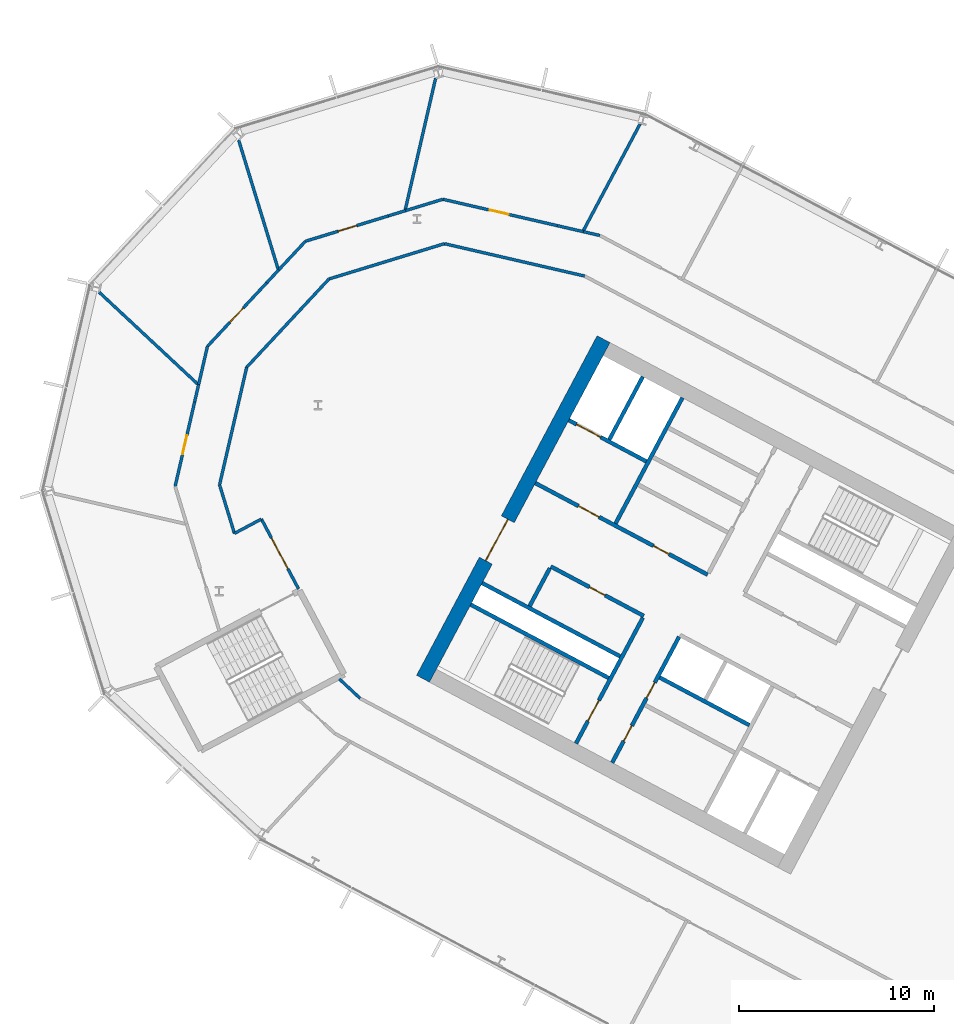
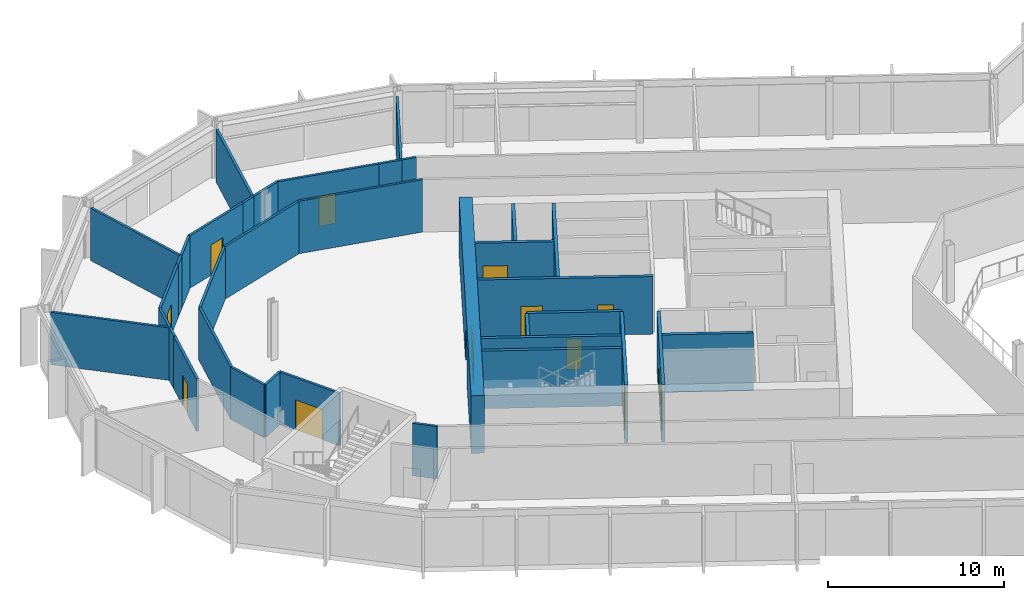
# One storey, part 14 of 28: 36 walls, 13 doors, 13 openings.
"""IFC4 building model written with IfcOpenShell, lengths in metres."""

from ifc_helpers import new_model, si_unit, direction, frame, frame_2d, origin, place, context, subcontext, project, spatial, rectangle, extrude, material, layer, layer_set, type_object, element, fill, save


model = new_model("IFC4")

# Units and contexts
model_context = context("Model", 3, precision=1e-05, world=origin(), true_north=direction((0.0, 1.0)))
body_context = subcontext(model_context, "Body", "Model", "MODEL_VIEW")
ifc_project = project(units=[si_unit("LENGTHUNIT", "METRE"), si_unit("AREAUNIT", "SQUARE_METRE"), si_unit("VOLUMEUNIT", "CUBIC_METRE"), si_unit("PLANEANGLEUNIT", "RADIAN"), si_unit("MASSUNIT", "GRAM", prefix="KILO")], contexts=[model_context])

# Site, building, storey
site_placement = place(None, origin())
site = spatial("IfcSite", under=ifc_project, at=site_placement, CompositionType="ELEMENT")
building_placement = place(site_placement, origin())
building = spatial("IfcBuilding", under=site, at=building_placement, Name="Cormorant Relay Tower", CompositionType="ELEMENT")
storey_placement = place(building_placement, frame((0.0, 0.0, 162.199951171875)))
storey = spatial("IfcBuildingStorey", under=building, at=storey_placement, Name="L34", CompositionType="ELEMENT", Elevation=162.199951171875)

# Wall, openings, doors
ifc_material_1 = material(Name="Concrete 50 MPa", Category="concrete")
ifc_layer_1 = layer(ifc_material_1, 0.199951171875)
ifc_layer_set_1 = layer_set([ifc_layer_1], Name="Core shaft wall 200")
wall_type_1 = type_object("IfcWallType", Name="Core shaft wall 200", PredefinedType="SHEAR", material=ifc_layer_set_1)
wall_1_placement = place(storey_placement, frame((-28.128173828125, 12.91748046875, 0.0), z_axis=(0.0, 0.0, 1.0), x_axis=(-0.469454336211, -0.882956752176, 0.0)))
wall_1 = element("IfcWall", 1, at=wall_1_placement, inside=storey, type_object=wall_type_1, Name="L34 core A shaft wall", PredefinedType="SHEAR", context=body_context, shape_type="SweptSolid", body=[
    extrude(rectangle(XDim=7.300048828125, YDim=0.199951171875, at=frame_2d((3.64990234375, 0.0))), origin(), (0.0, 0.0, 1.0), 4.0),
])
opening_1_placement = place(wall_1_placement, frame((2.64990234375, 0.0, 0.0)))
opening_1 = element("IfcOpeningElement", 2, at=opening_1_placement, cuts=wall_1, Name="Opening CDD-172", PredefinedType="OPENING", context=body_context, shape_type="SweptSolid", body=[
    extrude(rectangle(XDim=0.89990234375, YDim=2.10009765625, at=frame_2d((0.449951171875, 1.050048828125))), frame((0.0, 0.10986328125, 0.0), z_axis=(0.0, -1.0, 0.0), x_axis=(1.0, 0.0, 0.0)), (0.0, 0.0, 1.0), 0.219970703125),
])
opening_2_placement = place(wall_1_placement, frame((5.14990234375, 0.0, 0.0)))
opening_2 = element("IfcOpeningElement", 3, at=opening_2_placement, cuts=wall_1, Name="Opening CDD-173", PredefinedType="OPENING", context=body_context, shape_type="SweptSolid", body=[
    extrude(rectangle(XDim=0.89990234375, YDim=2.10009765625, at=frame_2d((0.449951171875, 1.050048828125))), frame((0.0, 0.10986328125, 0.0), z_axis=(0.0, -1.0, 0.0), x_axis=(1.0, 0.0, 0.0)), (0.0, 0.0, 1.0), 0.219970703125),
])
ifc_material_2 = material(Name="Steel fire door", Category="steel")
door_type_1 = type_object("IfcDoorType", Name="Core room door 900x2100", OperationType="SINGLE_SWING_LEFT", PredefinedType="DOOR", material=ifc_material_2)
door_1_placement = place(opening_1_placement, origin())
door_1 = element("IfcDoor", 4, at=door_1_placement, inside=storey, type_object=door_type_1, Name="Core room door 900x2100", OperationType="SINGLE_SWING_LEFT", OverallHeight=2.10009765625, OverallWidth=0.89990234375, PredefinedType="DOOR", context=body_context, shape_type="SweptSolid", body=[
    extrude(rectangle(XDim=0.89990234375, YDim=2.10009765625, at=frame_2d((0.449951171875, 1.050048828125))), frame((0.0, 0.02490234375, 0.0), z_axis=(0.0, -1.0, 0.0), x_axis=(1.0, 0.0, 0.0)), (0.0, 0.0, 1.0), 0.050048828125),
])
fill(opening_1, door_1)
door_2_placement = place(opening_2_placement, origin())
door_2 = element("IfcDoor", 5, at=door_2_placement, inside=storey, type_object=door_type_1, Name="Core room door 900x2100", OperationType="SINGLE_SWING_LEFT", OverallHeight=2.10009765625, OverallWidth=0.89990234375, PredefinedType="DOOR", context=body_context, shape_type="SweptSolid", body=[
    extrude(rectangle(XDim=0.89990234375, YDim=2.10009765625, at=frame_2d((0.449951171875, 1.050048828125))), frame((0.0, 0.02490234375, 0.0), z_axis=(0.0, -1.0, 0.0), x_axis=(1.0, 0.0, 0.0)), (0.0, 0.0, 1.0), 0.050048828125),
])
fill(opening_2, door_2)

# Wall, opening, door
wall_2_placement = place(storey_placement, frame((-29.982421875, 13.9033203125, 0.0), z_axis=(0.0, 0.0, 1.0), x_axis=(-0.469454336211, -0.882956752176, 0.0)))
wall_2 = element("IfcWall", 6, at=wall_2_placement, inside=storey, type_object=wall_type_1, Name="L34 core A shaft wall", PredefinedType="SHEAR", context=body_context, shape_type="SweptSolid", body=[
    extrude(rectangle(XDim=7.300048828125, YDim=0.199951171875, at=frame_2d((3.64990234375, 0.0))), origin(), (0.0, 0.0, 1.0), 4.0),
])
opening_3_placement = place(wall_2_placement, frame((4.800048828125, 0.0, 0.0)))
opening_3 = element("IfcOpeningElement", 7, at=opening_3_placement, cuts=wall_2, Name="Opening CDB-035", PredefinedType="OPENING", context=body_context, shape_type="SweptSolid", body=[
    extrude(rectangle(XDim=1.199951171875, YDim=2.10009765625, at=frame_2d((0.60009765625, 1.050048828125))), frame((0.0, 0.10986328125, 0.0), z_axis=(0.0, -1.0, 0.0), x_axis=(1.0, 0.0, 0.0)), (0.0, 0.0, 1.0), 0.219970703125),
])
ifc_material_3 = material(Name="Steel fire door", Category="steel")
door_type_2 = type_object("IfcDoorType", Name="Core stair door 1200x2100", OperationType="SINGLE_SWING_LEFT", PredefinedType="DOOR", material=ifc_material_3)
door_3_placement = place(opening_3_placement, frame((1.199951171875, 0.0, 0.0), z_axis=(0.0, 0.0, 1.0), x_axis=(-1.0, 0.0, 0.0)))
door_3 = element("IfcDoor", 8, at=door_3_placement, inside=storey, type_object=door_type_2, Name="Core stair door 1200x2100", OperationType="SINGLE_SWING_RIGHT", OverallHeight=2.10009765625, OverallWidth=1.199951171875, PredefinedType="DOOR", context=body_context, shape_type="SweptSolid", body=[
    extrude(rectangle(XDim=1.199951171875, YDim=2.10009765625, at=frame_2d((0.60009765625, 1.050048828125))), frame((0.0, 0.02490234375, 0.0), z_axis=(0.0, -1.0, 0.0), x_axis=(1.0, 0.0, 0.0)), (0.0, 0.0, 1.0), 0.050048828125),
])
fill(opening_3, door_3)

# Walls
wall_3_placement = place(storey_placement, frame((-27.955322265625, 25.170654296875, 0.0), z_axis=(0.0, 0.0, 1.0), x_axis=(-0.469480409012, -0.88294288918, 0.0)))
element("IfcWall", 9, at=wall_3_placement, inside=storey, type_object=wall_type_1, Name="L34 core A shaft wall", PredefinedType="SHEAR", context=body_context, shape_type="SweptSolid", body=[
    extrude(rectangle(XDim=7.300048828125, YDim=0.199951171875, at=frame_2d((3.64990234375, 0.0))), origin(), (0.0, 0.0, 1.0), 4.0),
])
wall_4_placement = place(storey_placement, frame((-34.750244140625, 16.4384765625, 0.0), z_axis=(0.0, 0.0, 1.0), x_axis=(-0.469401318492, -0.882984938828, 0.0)))
element("IfcWall", 10, at=wall_4_placement, inside=storey, type_object=wall_type_1, Name="L34 core A shaft wall", PredefinedType="SHEAR", context=body_context, shape_type="SweptSolid", body=[
    extrude(rectangle(XDim=2.199951171875, YDim=0.199951171875, at=frame_2d((1.10009765625, 0.0))), origin(), (0.0, 0.0, 1.0), 4.0),
])
wall_5_placement = place(storey_placement, frame((-29.986083984375, 26.250244140625, 0.0), z_axis=(0.0, 0.0, 1.0), x_axis=(-0.469494272526, -0.882935517501, 0.0)))
element("IfcWall", 11, at=wall_5_placement, inside=storey, type_object=wall_type_1, Name="L34 core A shaft wall", PredefinedType="SHEAR", context=body_context, shape_type="SweptSolid", body=[
    extrude(rectangle(XDim=3.64990234375, YDim=0.199951171875, at=frame_2d((1.824951171875, 0.0))), origin(), (0.0, 0.0, 1.0), 4.0),
])

# Wall, opening, door
wall_6_placement = place(storey_placement, frame((-29.80419921875, 21.906494140625, 0.0), z_axis=(0.0, 0.0, 1.0), x_axis=(-0.882960433586, 0.469447412093, 0.0)))
wall_6 = element("IfcWall", 12, at=wall_6_placement, inside=storey, type_object=wall_type_1, Name="L34 core A shaft wall", PredefinedType="SHEAR", context=body_context, shape_type="SweptSolid", body=[
    extrude(rectangle(XDim=4.5, YDim=0.199951171875, at=frame_2d((2.25, 0.0))), origin(), (0.0, 0.0, 1.0), 4.0),
])
opening_4_placement = place(wall_6_placement, frame((2.64990234375, 0.0, 0.0)))
opening_4 = element("IfcOpeningElement", 13, at=opening_4_placement, cuts=wall_6, Name="Opening LD3-013", PredefinedType="OPENING", context=body_context, shape_type="SweptSolid", body=[
    extrude(rectangle(XDim=1.39990234375, YDim=2.39990234375, at=frame_2d((0.699951171875, 1.199951171875))), frame((0.0, 0.10986328125, 0.0), z_axis=(0.0, -1.0, 0.0), x_axis=(1.0, 0.0, 0.0)), (0.0, 0.0, 1.0), 0.219970703125),
])
ifc_material_4 = material(Name="Stainless steel 316", Category="steel")
door_type_3 = type_object("IfcDoorType", Name="Lift landing door 1400x2400", OperationType="DOUBLE_DOOR_SLIDING", PredefinedType="DOOR", material=ifc_material_4)
door_4_placement = place(opening_4_placement, origin())
door_4 = element("IfcDoor", 14, at=door_4_placement, inside=storey, type_object=door_type_3, Name="SV1 landing door", OperationType="DOUBLE_DOOR_SLIDING", OverallHeight=2.39990234375, OverallWidth=1.39990234375, PredefinedType="DOOR", context=body_context, shape_type="SweptSolid", body=[
    extrude(rectangle(XDim=1.39990234375, YDim=2.39990234375, at=frame_2d((0.699951171875, 1.199951171875))), frame((0.0, 0.02490234375, 0.0), z_axis=(0.0, -1.0, 0.0), x_axis=(1.0, 0.0, 0.0)), (0.0, 0.0, 1.0), 0.050048828125),
])
fill(opening_4, door_4)

# Wall, openings, doors
wall_7_placement = place(storey_placement, frame((-26.66162109375, 16.1015625, 0.0), z_axis=(0.0, 0.0, 1.0), x_axis=(-0.882940221191, 0.469485426614, 0.0)))
wall_7 = element("IfcWall", 15, at=wall_7_placement, inside=storey, type_object=wall_type_1, Name="L34 core A shaft wall", PredefinedType="SHEAR", context=body_context, shape_type="SweptSolid", body=[
    extrude(rectangle(XDim=10.0, YDim=0.199951171875, at=frame_2d((5.0, 0.0))), origin(), (0.0, 0.0, 1.0), 4.0),
])
opening_5_placement = place(wall_7_placement, frame((6.300048828125, 0.0, 0.0)))
opening_5 = element("IfcOpeningElement", 16, at=opening_5_placement, cuts=wall_7, Name="Opening CDC-026", PredefinedType="OPENING", context=body_context, shape_type="SweptSolid", body=[
    extrude(rectangle(XDim=1.199951171875, YDim=2.10009765625, at=frame_2d((0.60009765625, 1.050048828125))), frame((0.0, 0.10986328125, 0.0), z_axis=(0.0, -1.0, 0.0), x_axis=(1.0, 0.0, 0.0)), (0.0, 0.0, 1.0), 0.219970703125),
])
opening_6_placement = place(wall_7_placement, frame((2.25, 0.0, 0.0)))
opening_6 = element("IfcOpeningElement", 17, at=opening_6_placement, cuts=wall_7, Name="Opening CDD-207", PredefinedType="OPENING", context=body_context, shape_type="SweptSolid", body=[
    extrude(rectangle(XDim=0.89990234375, YDim=2.10009765625, at=frame_2d((0.449951171875, 1.050048828125))), frame((0.0, 0.10986328125, 0.0), z_axis=(0.0, -1.0, 0.0), x_axis=(1.0, 0.0, 0.0)), (0.0, 0.0, 1.0), 0.219970703125),
])
ifc_material_5 = material(Name="Steel fire door", Category="steel")
door_type_4 = type_object("IfcDoorType", Name="Core lobby door 1200x2100", OperationType="SINGLE_SWING_LEFT", PredefinedType="DOOR", material=ifc_material_5)
door_5_placement = place(opening_5_placement, origin())
door_5 = element("IfcDoor", 18, at=door_5_placement, inside=storey, type_object=door_type_4, Name="Core lobby door 1200x2100", OperationType="SINGLE_SWING_LEFT", OverallHeight=2.10009765625, OverallWidth=1.199951171875, PredefinedType="DOOR", context=body_context, shape_type="SweptSolid", body=[
    extrude(rectangle(XDim=1.199951171875, YDim=2.10009765625, at=frame_2d((0.60009765625, 1.050048828125))), frame((0.0, 0.02490234375, 0.0), z_axis=(0.0, -1.0, 0.0), x_axis=(1.0, 0.0, 0.0)), (0.0, 0.0, 1.0), 0.050048828125),
])
fill(opening_5, door_5)
door_6_placement = place(opening_6_placement, origin())
door_6 = element("IfcDoor", 19, at=door_6_placement, inside=storey, type_object=door_type_1, Name="Core room door 900x2100", OperationType="SINGLE_SWING_LEFT", OverallHeight=2.10009765625, OverallWidth=0.89990234375, PredefinedType="DOOR", context=body_context, shape_type="SweptSolid", body=[
    extrude(rectangle(XDim=0.89990234375, YDim=2.10009765625, at=frame_2d((0.449951171875, 1.050048828125))), frame((0.0, 0.02490234375, 0.0), z_axis=(0.0, -1.0, 0.0), x_axis=(1.0, 0.0, 0.0)), (0.0, 0.0, 1.0), 0.050048828125),
])
fill(opening_6, door_6)

# Wall, opening, door
wall_8_placement = place(storey_placement, frame((-29.935302734375, 13.991455078125, 0.0), z_axis=(0.0, 0.0, 1.0), x_axis=(-0.882952937579, 0.469461510692, 0.0)))
wall_8 = element("IfcWall", 20, at=wall_8_placement, inside=storey, type_object=wall_type_1, Name="L34 core A shaft wall", PredefinedType="SHEAR", context=body_context, shape_type="SweptSolid", body=[
    extrude(rectangle(XDim=5.400146484375, YDim=0.199951171875, at=frame_2d((2.7001953125, 0.0))), origin(), (0.0, 0.0, 1.0), 4.0),
])
opening_7_placement = place(wall_8_placement, frame((2.25, 0.0, 0.0)))
opening_7 = element("IfcOpeningElement", 21, at=opening_7_placement, cuts=wall_8, Name="Opening CDD-184", PredefinedType="OPENING", context=body_context, shape_type="SweptSolid", body=[
    extrude(rectangle(XDim=0.89990234375, YDim=2.10009765625, at=frame_2d((0.449951171875, 1.050048828125))), frame((0.0, 0.10986328125, 0.0), z_axis=(0.0, -1.0, 0.0), x_axis=(1.0, 0.0, 0.0)), (0.0, 0.0, 1.0), 0.219970703125),
])
door_7_placement = place(opening_7_placement, origin())
door_7 = element("IfcDoor", 22, at=door_7_placement, inside=storey, type_object=door_type_1, Name="Core room door 900x2100", OperationType="SINGLE_SWING_LEFT", OverallHeight=2.10009765625, OverallWidth=0.89990234375, PredefinedType="DOOR", context=body_context, shape_type="SweptSolid", body=[
    extrude(rectangle(XDim=0.89990234375, YDim=2.10009765625, at=frame_2d((0.449951171875, 1.050048828125))), frame((0.0, 0.02490234375, 0.0), z_axis=(0.0, -1.0, 0.0), x_axis=(1.0, 0.0, 0.0)), (0.0, 0.0, 1.0), 0.050048828125),
])
fill(opening_7, door_7)

# Walls
wall_9_placement = place(storey_placement, frame((-24.5283203125, 8.3984375, 0.0), z_axis=(0.0, 0.0, 1.0), x_axis=(-0.882953967957, 0.469459572775, 0.0)))
element("IfcWall", 23, at=wall_9_placement, inside=storey, type_object=wall_type_1, Name="L34 core A shaft wall", PredefinedType="SHEAR", context=body_context, shape_type="SweptSolid", body=[
    extrude(rectangle(XDim=5.199951171875, YDim=0.199951171875, at=frame_2d((2.60009765625, 0.0))), origin(), (0.0, 0.0, 1.0), 4.0),
])
for number, where, z_axis, x_axis, name in (
    (24, (-31.150390625, 11.91943359375, 0.0), (0.0, 0.0, 1.0), (-0.882940221191, 0.469485426614, 0.0), "L34 core A shaft wall"),
    (25, (-31.7373046875, 10.815673828125, 0.0), (0.0, 0.0, 1.0), (-0.882940221191, 0.469485426614, 0.0), "L34 core A shaft wall"),
):
    element("IfcWall", number, at=place(storey_placement, frame(where, z_axis=z_axis, x_axis=x_axis)), inside=storey, type_object=wall_type_1, Name=name, PredefinedType="SHEAR", context=body_context, shape_type="SweptSolid", body=[
        extrude(rectangle(XDim=8.0, YDim=0.199951171875, at=frame_2d((4.0, 0.0))), origin(), (0.0, 0.0, 1.0), 4.0),
    ])

# Wall, opening, door
ifc_material_6 = material(Name="Concrete 60 MPa", Category="concrete")
ifc_layer_2 = layer(ifc_material_6, 0.75)
ifc_layer_set_2 = layer_set([ifc_layer_2], Name="Core wall 750")
wall_type_2 = type_object("IfcWallType", Name="Core wall 750", PredefinedType="SHEAR", material=ifc_layer_set_2)
wall_10_placement = place(storey_placement, frame((-31.995849609375, 28.16845703125, 0.0), z_axis=(0.0, 0.0, 1.0), x_axis=(-0.469479580143, -0.882943329908, 0.0)))
wall_10 = element("IfcWall", 26, at=wall_10_placement, inside=storey, type_object=wall_type_2, Name="L34 core A wall", PredefinedType="SHEAR", context=body_context, shape_type="SweptSolid", body=[
    extrude(rectangle(XDim=19.699951171875, YDim=0.75, at=frame_2d((9.85009765625, 0.0))), origin(), (0.0, 0.0, 1.0), 4.0),
])
opening_8_placement = place(wall_10_placement, frame((10.449951171875, 0.0, 0.0)))
opening_8 = element("IfcOpeningElement", 27, at=opening_8_placement, cuts=wall_10, Name="Opening CDA-027", PredefinedType="OPENING", context=body_context, shape_type="SweptSolid", body=[
    extrude(rectangle(XDim=2.39990234375, YDim=2.39990234375, at=frame_2d((1.199951171875, 1.199951171875))), frame((0.0, 0.385009765625, 0.0), z_axis=(0.0, -1.0, 0.0), x_axis=(1.0, 0.0, 0.0)), (0.0, 0.0, 1.0), 0.77001953125),
])
ifc_material_7 = material(Name="Steel fire door", Category="steel")
door_type_5 = type_object("IfcDoorType", Name="Core lobby door 2400x2400", OperationType="DOUBLE_DOOR_SINGLE_SWING", PredefinedType="DOOR", material=ifc_material_7)
door_8_placement = place(opening_8_placement, origin())
door_8 = element("IfcDoor", 28, at=door_8_placement, inside=storey, type_object=door_type_5, Name="Core lobby door 2400x2400", OperationType="DOUBLE_DOOR_SINGLE_SWING", OverallHeight=2.39990234375, OverallWidth=2.39990234375, PredefinedType="DOOR", context=body_context, shape_type="SweptSolid", body=[
    extrude(rectangle(XDim=2.39990234375, YDim=2.39990234375, at=frame_2d((1.199951171875, 1.199951171875))), frame((0.0, 0.02490234375, 0.0), z_axis=(0.0, -1.0, 0.0), x_axis=(1.0, 0.0, 0.0)), (0.0, 0.0, 1.0), 0.050048828125),
])
fill(opening_8, door_8)

ifc_material_8 = material(Name="Gypsum board fire partition")
ifc_layer_3 = layer(ifc_material_8, 0.14990234375)
ifc_layer_set_3 = layer_set([ifc_layer_3], Name="Corridor partition 150 EI 60")
wall_type_3 = type_object("IfcWallType", Name="Corridor partition 150 EI 60", PredefinedType="PARTITIONING", material=ifc_layer_set_3)
wall_11_placement = place(storey_placement, frame((-52.944091796875, 24.9560546875, 0.0), z_axis=(0.0, 0.0, 1.0), x_axis=(-0.225004075032, -0.974357822475, 0.0)))
wall_11 = element("IfcWall", 29, at=wall_11_placement, inside=storey, type_object=wall_type_3, Name="wall/L34/part/004", PredefinedType="PARTITIONING", context=body_context, shape_type="SweptSolid", body=[
    extrude(rectangle(XDim=4.43994140625, YDim=0.14990234375, at=frame_2d((2.219970703125, 0.0))), origin(), (0.0, 0.0, 1.0), 3.64013671875),
])
opening_9_placement = place(wall_11_placement, frame((1.75, 0.0, 0.0)))
opening_9 = element("IfcOpeningElement", 30, at=opening_9_placement, cuts=wall_11, Name="Opening DS-057", PredefinedType="OPENING", context=body_context, shape_type="SweptSolid", body=[
    extrude(rectangle(XDim=1.0, YDim=2.10009765625, at=frame_2d((0.5, 1.050048828125))), frame((0.0, 0.0849609375, 0.0), z_axis=(0.0, -1.0, 0.0), x_axis=(1.0, 0.0, 0.0)), (0.0, 0.0, 1.0), 0.169921875),
])
ifc_material_9 = material(Name="Timber door leaf", Category="wood")
door_type_6 = type_object("IfcDoorType", Name="Suite door 1000x2100", OperationType="SINGLE_SWING_LEFT", PredefinedType="DOOR", material=ifc_material_9)
door_9_placement = place(opening_9_placement, frame((1.0, 0.0, 0.0), z_axis=(0.0, 0.0, 1.0), x_axis=(-1.0, 0.0, 0.0)))
door_9 = element("IfcDoor", 31, at=door_9_placement, inside=storey, type_object=door_type_6, Name="door/L34/015", OperationType="SINGLE_SWING_RIGHT", OverallHeight=2.10009765625, OverallWidth=1.0, PredefinedType="DOOR", context=body_context, shape_type="SweptSolid", body=[
    extrude(rectangle(XDim=1.0, YDim=2.10009765625, at=frame_2d((0.5, 1.050048828125))), frame((0.0, 0.02490234375, 0.0), z_axis=(0.0, -1.0, 0.0), x_axis=(1.0, 0.0, 0.0)), (0.0, 0.0, 1.0), 0.050048828125),
])
fill(opening_9, door_9)

# Wall
wall_12_placement = place(storey_placement, frame((-52.944091796875, 24.9560546875, 0.0), z_axis=(0.0, 0.0, 1.0), x_axis=(0.224898245089, 0.974382255255, 0.0)))
element("IfcWall", 32, at=wall_12_placement, inside=storey, type_object=wall_type_3, Name="wall/L34/part/007", PredefinedType="PARTITIONING", context=body_context, shape_type="SweptSolid", body=[
    extrude(rectangle(XDim=0.920654296875, YDim=0.14990234375, at=frame_2d((0.46044921875, 0.0))), origin(), (0.0, 0.0, 1.0), 3.64013671875),
])

# Wall, opening, door
wall_13_placement = place(storey_placement, frame((-49.260009765625, 31.048095703125, 0.0), z_axis=(0.0, 0.0, 1.0), x_axis=(-0.682006580668, -0.731346035694, 0.0)))
wall_13 = element("IfcWall", 33, at=wall_13_placement, inside=storey, type_object=wall_type_3, Name="wall/L34/part/008", PredefinedType="PARTITIONING", context=body_context, shape_type="SweptSolid", body=[
    extrude(rectangle(XDim=4.4384765625, YDim=0.14990234375, at=frame_2d((2.21923828125, 0.0))), origin(), (0.0, 0.0, 1.0), 3.64013671875),
])
opening_10_placement = place(wall_13_placement, frame((1.7509765625, 0.0, 0.0)))
opening_10 = element("IfcOpeningElement", 34, at=opening_10_placement, cuts=wall_13, Name="Opening DS-056", PredefinedType="OPENING", context=body_context, shape_type="SweptSolid", body=[
    extrude(rectangle(XDim=1.0, YDim=2.10009765625, at=frame_2d((0.5, 1.050048828125))), frame((0.0, 0.0849609375, 0.0), z_axis=(0.0, -1.0, 0.0), x_axis=(1.0, 0.0, 0.0)), (0.0, 0.0, 1.0), 0.169921875),
])
door_10_placement = place(opening_10_placement, frame((1.0, 0.0, 0.0), z_axis=(0.0, 0.0, 1.0), x_axis=(-1.0, 0.0, 0.0)))
door_10 = element("IfcDoor", 35, at=door_10_placement, inside=storey, type_object=door_type_6, Name="door/L34/014", OperationType="SINGLE_SWING_RIGHT", OverallHeight=2.10009765625, OverallWidth=1.0, PredefinedType="DOOR", context=body_context, shape_type="SweptSolid", body=[
    extrude(rectangle(XDim=1.0, YDim=2.10009765625, at=frame_2d((0.5, 1.050048828125))), frame((0.0, 0.02490234375, 0.0), z_axis=(0.0, -1.0, 0.0), x_axis=(1.0, 0.0, 0.0)), (0.0, 0.0, 1.0), 0.050048828125),
])
fill(opening_10, door_10)

# Walls
wall_14_placement = place(storey_placement, frame((-52.287109375, 27.802001953125, 0.0), z_axis=(0.0, 0.0, 1.0), x_axis=(-0.224948647558, -0.974370620432, 0.0)))
element("IfcWall", 36, at=wall_14_placement, inside=storey, type_object=wall_type_3, Name="wall/L34/part/009", PredefinedType="PARTITIONING", context=body_context, shape_type="SweptSolid", body=[
    extrude(rectangle(XDim=2.000244140625, YDim=0.14990234375, at=frame_2d((1.0, 0.0))), origin(), (0.0, 0.0, 1.0), 3.64013671875),
])
wall_15_placement = place(storey_placement, frame((-49.260009765625, 31.048095703125, 0.0), z_axis=(0.0, 0.0, 1.0), x_axis=(0.68175139462, 0.731583922687, 0.0)))
element("IfcWall", 37, at=wall_15_placement, inside=storey, type_object=wall_type_3, Name="wall/L34/part/013", PredefinedType="PARTITIONING", context=body_context, shape_type="SweptSolid", body=[
    extrude(rectangle(XDim=0.921142578125, YDim=0.14990234375, at=frame_2d((0.46044921875, 0.0))), origin(), (0.0, 0.0, 1.0), 3.64013671875),
])
wall_16_placement = place(storey_placement, frame((-47.26708984375, 33.18505859375, 0.0), z_axis=(0.0, 0.0, 1.0), x_axis=(-0.682157389431, -0.731205372002, 0.0)))
element("IfcWall", 38, at=wall_16_placement, inside=storey, type_object=wall_type_3, Name="wall/L34/part/014", PredefinedType="PARTITIONING", context=body_context, shape_type="SweptSolid", body=[
    extrude(rectangle(XDim=2.0009765625, YDim=0.14990234375, at=frame_2d((1.00048828125, 0.0))), origin(), (0.0, 0.0, 1.0), 3.64013671875),
])

# Wall, opening, door
wall_17_placement = place(storey_placement, frame((-47.26806640625, 33.18505859375, 0.0), z_axis=(0.0, 0.0, 1.0), x_axis=(0.956324248272, 0.292307940652, 0.0)))
wall_17 = element("IfcWall", 39, at=wall_17_placement, inside=storey, type_object=wall_type_3, Name="wall/L34/part/015", PredefinedType="PARTITIONING", context=body_context, shape_type="SweptSolid", body=[
    extrude(rectangle(XDim=4.43994140625, YDim=0.14990234375, at=frame_2d((2.219970703125, 0.0))), origin(), (0.0, 0.0, 1.0), 3.64013671875),
])
opening_11_placement = place(wall_17_placement, frame((1.75, 0.0, 0.0)))
opening_11 = element("IfcOpeningElement", 40, at=opening_11_placement, cuts=wall_17, Name="Opening DS-055", PredefinedType="OPENING", context=body_context, shape_type="SweptSolid", body=[
    extrude(rectangle(XDim=1.0, YDim=2.10009765625, at=frame_2d((0.5, 1.050048828125))), frame((0.0, 0.0849609375, 0.0), z_axis=(0.0, -1.0, 0.0), x_axis=(1.0, 0.0, 0.0)), (0.0, 0.0, 1.0), 0.169921875),
])
door_11_placement = place(opening_11_placement, origin())
door_11 = element("IfcDoor", 41, at=door_11_placement, inside=storey, type_object=door_type_6, Name="door/L34/013", OperationType="SINGLE_SWING_RIGHT", OverallHeight=2.10009765625, OverallWidth=1.0, PredefinedType="DOOR", context=body_context, shape_type="SweptSolid", body=[
    extrude(rectangle(XDim=1.0, YDim=2.10009765625, at=frame_2d((0.5, 1.050048828125))), frame((0.0, 0.02490234375, 0.0), z_axis=(0.0, -1.0, 0.0), x_axis=(1.0, 0.0, 0.0)), (0.0, 0.0, 1.0), 0.050048828125),
])
fill(opening_11, door_11)

wall_18_placement = place(storey_placement, frame((-47.62109375, 15.3779296875, 0.0), z_axis=(0.0, 0.0, 1.0), x_axis=(-0.469542997944, 0.882909606404, 0.0)))
wall_18 = element("IfcWall", 42, at=wall_18_placement, inside=storey, type_object=wall_type_3, Name="wall/L34/part/016", PredefinedType="PARTITIONING", context=body_context, shape_type="SweptSolid", body=[
    extrude(rectangle(XDim=4.050537109375, YDim=0.14990234375, at=frame_2d((2.025390625, 0.0))), origin(), (0.0, 0.0, 1.0), 3.64013671875),
])
opening_12_placement = place(wall_18_placement, frame((1.14990234375, 0.0, 0.0)))
opening_12 = element("IfcOpeningElement", 43, at=opening_12_placement, cuts=wall_18, Name="Opening DD-005", PredefinedType="OPENING", context=body_context, shape_type="SweptSolid", body=[
    extrude(rectangle(XDim=1.800048828125, YDim=2.10009765625, at=frame_2d((0.89990234375, 1.050048828125))), frame((0.0, 0.0849609375, 0.0), z_axis=(0.0, -1.0, 0.0), x_axis=(1.0, 0.0, 0.0)), (0.0, 0.0, 1.0), 0.169921875),
])
ifc_material_10 = material(Name="Timber door leaf", Category="wood")
door_type_7 = type_object("IfcDoorType", Name="Suite double door 1800x2100", OperationType="DOUBLE_DOOR_SINGLE_SWING", PredefinedType="DOOR", material=ifc_material_10)
door_12_placement = place(opening_12_placement, frame((1.800048828125, 0.0, 0.0), z_axis=(0.0, 0.0, 1.0), x_axis=(-1.0, 0.0, 0.0)))
door_12 = element("IfcDoor", 44, at=door_12_placement, inside=storey, type_object=door_type_7, Name="door/L34/001", OperationType="DOUBLE_DOOR_SINGLE_SWING", OverallHeight=2.10009765625, OverallWidth=1.800048828125, PredefinedType="DOOR", context=body_context, shape_type="SweptSolid", body=[
    extrude(rectangle(XDim=1.800048828125, YDim=2.10009765625, at=frame_2d((0.89990234375, 1.050048828125))), frame((0.0, 0.02490234375, 0.0), z_axis=(0.0, -1.0, 0.0), x_axis=(1.0, 0.0, 0.0)), (0.0, 0.0, 1.0), 0.050048828125),
])
fill(opening_12, door_12)

# Walls
wall_19_placement = place(storey_placement, frame((-49.52294921875, 18.9541015625, 0.0), z_axis=(0.0, 0.0, 1.0), x_axis=(-0.882883395231, -0.469592281053, 0.0)))
element("IfcWall", 45, at=wall_19_placement, inside=storey, type_object=wall_type_3, Name="wall/L34/part/017", PredefinedType="PARTITIONING", context=body_context, shape_type="SweptSolid", body=[
    extrude(rectangle(XDim=1.5654296875, YDim=0.14990234375, at=frame_2d((0.78271484375, 0.0))), origin(), (0.0, 0.0, 1.0), 3.64013671875),
])
wall_20_placement = place(storey_placement, frame((-50.905029296875, 18.218994140625, 0.0), z_axis=(0.0, 0.0, 1.0), x_axis=(-0.292616300327, 0.956229941376, 0.0)))
element("IfcWall", 46, at=wall_20_placement, inside=storey, type_object=wall_type_3, Name="wall/L34/part/018", PredefinedType="PARTITIONING", context=body_context, shape_type="SweptSolid", body=[
    extrude(rectangle(XDim=2.60400390625, YDim=0.14990234375, at=frame_2d((1.302001953125, 0.0))), origin(), (0.0, 0.0, 1.0), 3.64013671875),
])
wall_21_placement = place(storey_placement, frame((-51.6669921875, 20.708984375, 0.0), z_axis=(0.0, 0.0, 1.0), x_axis=(0.225044109818, 0.974348576556, 0.0)))
element("IfcWall", 47, at=wall_21_placement, inside=storey, type_object=wall_type_3, Name="wall/L34/part/019", PredefinedType="PARTITIONING", context=body_context, shape_type="SweptSolid", body=[
    extrude(rectangle(XDim=6.181396484375, YDim=0.14990234375, at=frame_2d((3.0908203125, 0.0))), origin(), (0.0, 0.0, 1.0), 3.64013671875),
])
wall_22_placement = place(storey_placement, frame((-50.27587890625, 26.73193359375, 0.0), z_axis=(0.0, 0.0, 1.0), x_axis=(0.681907204976, 0.731438694494, 0.0)))
element("IfcWall", 48, at=wall_22_placement, inside=storey, type_object=wall_type_3, Name="wall/L34/part/020", PredefinedType="PARTITIONING", context=body_context, shape_type="SweptSolid", body=[
    extrude(rectangle(XDim=6.180908203125, YDim=0.14990234375, at=frame_2d((3.09033203125, 0.0))), origin(), (0.0, 0.0, 1.0), 3.64013671875),
])
wall_23_placement = place(storey_placement, frame((-46.06103515625, 31.2529296875, 0.0), z_axis=(0.0, 0.0, 1.0), x_axis=(0.956322135821, 0.292314851724, 0.0)))
element("IfcWall", 49, at=wall_23_placement, inside=storey, type_object=wall_type_3, Name="wall/L34/part/021", PredefinedType="PARTITIONING", context=body_context, shape_type="SweptSolid", body=[
    extrude(rectangle(XDim=6.18212890625, YDim=0.14990234375, at=frame_2d((3.091064453125, 0.0))), origin(), (0.0, 0.0, 1.0), 3.64013671875),
])
wall_24_placement = place(storey_placement, frame((-40.14892578125, 33.06005859375, 0.0), z_axis=(0.0, 0.0, 1.0), x_axis=(0.97439342778, -0.224849834111, 0.0)))
element("IfcWall", 50, at=wall_24_placement, inside=storey, type_object=wall_type_3, Name="wall/L34/part/022", PredefinedType="PARTITIONING", context=body_context, shape_type="SweptSolid", body=[
    extrude(rectangle(XDim=7.37353515625, YDim=0.14990234375, at=frame_2d((3.686767578125, 0.0))), origin(), (0.0, 0.0, 1.0), 3.64013671875),
])
wall_25_placement = place(storey_placement, frame((-44.467041015625, 9.76904296875, 0.0), z_axis=(0.0, 0.0, 1.0), x_axis=(-0.731027453332, 0.682348050833, 0.0)))
element("IfcWall", 51, at=wall_25_placement, inside=storey, type_object=wall_type_3, Name="wall/L34/part/030", PredefinedType="PARTITIONING", context=body_context, shape_type="SweptSolid", body=[
    extrude(rectangle(XDim=1.45947265625, YDim=0.14990234375, at=frame_2d((0.729736328125, 0.0))), origin(), (0.0, 0.0, 1.0), 3.64013671875),
])
wall_26_placement = place(storey_placement, frame((-43.02197265625, 34.48291015625, 0.0), z_axis=(0.0, 0.0, 1.0), x_axis=(0.956293877443, 0.29240728439, 0.0)))
element("IfcWall", 52, at=wall_26_placement, inside=storey, type_object=wall_type_3, Name="wall/L34/part/032", PredefinedType="PARTITIONING", context=body_context, shape_type="SweptSolid", body=[
    extrude(rectangle(XDim=0.920166015625, YDim=0.14990234375, at=frame_2d((0.4599609375, 0.0))), origin(), (0.0, 0.0, 1.0), 3.64013671875),
])

# Wall, opening, door
wall_27_placement = place(storey_placement, frame((-34.364990234375, 33.98291015625, 0.0), z_axis=(0.0, 0.0, 1.0), x_axis=(-0.974398716152, 0.224826915563, 0.0)))
wall_27 = element("IfcWall", 53, at=wall_27_placement, inside=storey, type_object=wall_type_3, Name="wall/L34/part/034", PredefinedType="PARTITIONING", context=body_context, shape_type="SweptSolid", body=[
    extrude(rectangle(XDim=6.01806640625, YDim=0.14990234375, at=frame_2d((3.009033203125, 0.0))), origin(), (0.0, 0.0, 1.0), 3.64013671875),
])
opening_13_placement = place(wall_27_placement, frame((2.550048828125, 0.0, 0.0)))
opening_13 = element("IfcOpeningElement", 54, at=opening_13_placement, cuts=wall_27, Name="Opening DS-054", PredefinedType="OPENING", context=body_context, shape_type="SweptSolid", body=[
    extrude(rectangle(XDim=1.0, YDim=2.10009765625, at=frame_2d((0.5, 1.050048828125))), frame((0.0, 0.0849609375, 0.0), z_axis=(0.0, -1.0, 0.0), x_axis=(1.0, 0.0, 0.0)), (0.0, 0.0, 1.0), 0.169921875),
])
door_13_placement = place(opening_13_placement, frame((1.0, 0.0, 0.0), z_axis=(0.0, 0.0, 1.0), x_axis=(-1.0, 0.0, 0.0)))
door_13 = element("IfcDoor", 55, at=door_13_placement, inside=storey, type_object=door_type_6, Name="door/L34/012", OperationType="SINGLE_SWING_RIGHT", OverallHeight=2.10009765625, OverallWidth=1.0, PredefinedType="DOOR", context=body_context, shape_type="SweptSolid", body=[
    extrude(rectangle(XDim=1.0, YDim=2.10009765625, at=frame_2d((0.5, 1.050048828125))), frame((0.0, 0.02490234375, 0.0), z_axis=(0.0, -1.0, 0.0), x_axis=(1.0, 0.0, 0.0)), (0.0, 0.0, 1.0), 0.050048828125),
])
fill(opening_13, door_13)

# Walls
wall_28_placement = place(storey_placement, frame((-40.22900390625, 35.3359375, 0.0), z_axis=(0.0, 0.0, 1.0), x_axis=(-0.956431126108, -0.291958046663, 0.0)))
element("IfcWall", 56, at=wall_28_placement, inside=storey, type_object=wall_type_3, Name="wall/L34/part/035", PredefinedType="PARTITIONING", context=body_context, shape_type="SweptSolid", body=[
    extrude(rectangle(XDim=2.000244140625, YDim=0.14990234375, at=frame_2d((1.0, 0.0))), origin(), (0.0, 0.0, 1.0), 3.64013671875),
])
wall_29_placement = place(storey_placement, frame((-34.364990234375, 33.98291015625, 0.0), z_axis=(0.0, 0.0, 1.0), x_axis=(0.974424223159, -0.224716339686, 0.0)))
element("IfcWall", 57, at=wall_29_placement, inside=storey, type_object=wall_type_3, Name="wall/L34/part/036", PredefinedType="PARTITIONING", context=body_context, shape_type="SweptSolid", body=[
    extrude(rectangle(XDim=1.3701171875, YDim=0.14990234375, at=frame_2d((0.68505859375, 0.0))), origin(), (0.0, 0.0, 1.0), 3.64013671875),
])
wall_30_placement = place(storey_placement, frame((-32.18701171875, 33.47998046875, 0.0), z_axis=(0.0, 0.0, 1.0), x_axis=(-0.97425787626, 0.225436444579, 0.0)))
element("IfcWall", 58, at=wall_30_placement, inside=storey, type_object=wall_type_3, Name="wall/L34/part/038", PredefinedType="PARTITIONING", context=body_context, shape_type="SweptSolid", body=[
    extrude(rectangle(XDim=0.865234375, YDim=0.14990234375, at=frame_2d((0.4326171875, 0.0))), origin(), (0.0, 0.0, 1.0), 3.64013671875),
])
ifc_material_11 = material(Name="Gypsum board partition")
ifc_layer_4 = layer(ifc_material_11, 0.14990234375)
ifc_layer_set_4 = layer_set([ifc_layer_4], Name="Tenant partition 150")
wall_type_4 = type_object("IfcWallType", Name="Tenant partition 150", PredefinedType="PARTITIONING", material=ifc_layer_set_4)
wall_31_placement = place(storey_placement, frame((-57.841064453125, 30.580078125, 0.0), z_axis=(0.0, 0.0, 1.0), x_axis=(0.731419737189, -0.68192753871, 0.0)))
element("IfcWall", 59, at=wall_31_placement, inside=storey, type_object=wall_type_4, Name="wall/L34/part/002", PredefinedType="PARTITIONING", context=body_context, shape_type="SweptSolid", body=[
    extrude(rectangle(XDim=6.97021484375, YDim=0.14990234375, at=frame_2d((3.485107421875, 0.0))), origin(), (0.0, 0.0, 1.0), 3.64013671875),
])
for number, where, z_axis, x_axis, name in (
    (60, (-50.68798828125, 38.365966796875, 0.0), (0.0, 0.0, 1.0), (0.292460621622, -0.956277566819, 0.0), "wall/L34/part/010"),
    (61, (-40.59912109375, 41.533935546875, 0.0), (0.0, 0.0, 1.0), (-0.224987437389, -0.974361664382, 0.0), "wall/L34/part/033"),
):
    element("IfcWall", number, at=place(storey_placement, frame(where, z_axis=z_axis, x_axis=x_axis)), inside=storey, type_object=wall_type_4, Name=name, PredefinedType="PARTITIONING", context=body_context, shape_type="SweptSolid", body=[
        extrude(rectangle(XDim=6.96875, YDim=0.14990234375, at=frame_2d((3.484375, 0.0))), origin(), (0.0, 0.0, 1.0), 3.64013671875),
    ])
wall_32_placement = place(storey_placement, frame((-30.12890625, 39.18798828125, 0.0), z_axis=(0.0, 0.0, 1.0), x_axis=(-0.469448075874, -0.882960080671, 0.0)))
element("IfcWall", 62, at=wall_32_placement, inside=storey, type_object=wall_type_4, Name="wall/L34/part/037", PredefinedType="PARTITIONING", context=body_context, shape_type="SweptSolid", body=[
    extrude(rectangle(XDim=6.237060546875, YDim=0.14990234375, at=frame_2d((3.11865234375, 0.0))), origin(), (0.0, 0.0, 1.0), 3.64013671875),
])

save(model, "model.ifc")
